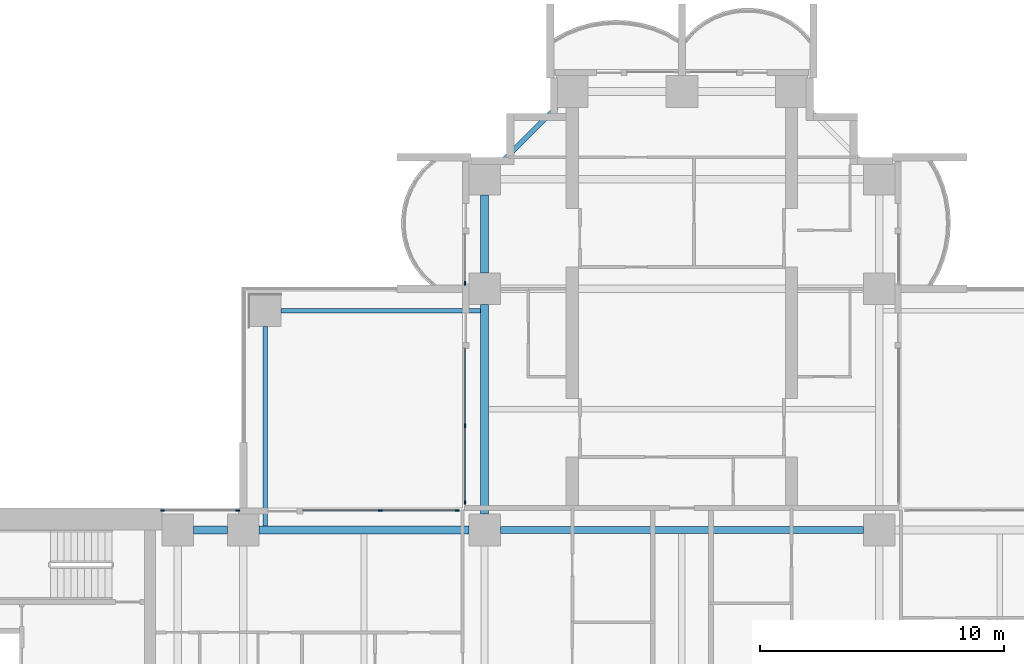
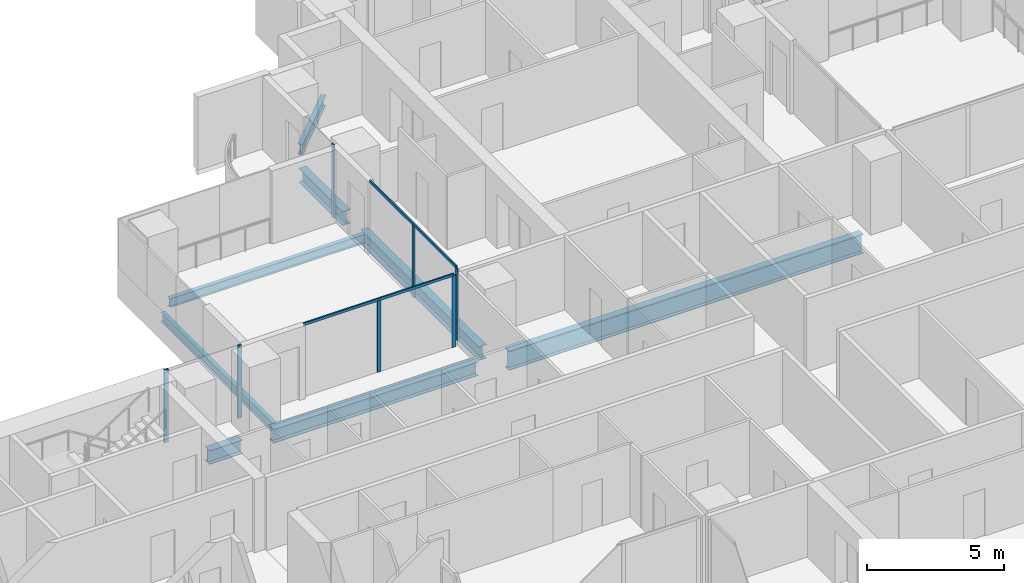
# One storey, part 5 of 21: 9 members, 8 beams, 4 elements without a shape of their own.
"""IFC4 building model written with IfcOpenShell, lengths in metres."""

from ifc_helpers import new_model, si_unit, direction, frame, origin, origin_2d, place, context, subcontext, project, spatial, rectangle, i_section, extrude, material, material_profile, profile_set, type_object, element, aggregate, save


model = new_model("IFC4")

# Units and contexts
model_context = context("Model", 3, precision=1e-05, world=origin(), true_north=direction((0.0, 1.0)))
body_context = subcontext(model_context, "Body", "Model", "MODEL_VIEW")
ifc_project = project(units=[si_unit("LENGTHUNIT", "METRE"), si_unit("AREAUNIT", "SQUARE_METRE"), si_unit("VOLUMEUNIT", "CUBIC_METRE"), si_unit("PLANEANGLEUNIT", "RADIAN"), si_unit("MASSUNIT", "GRAM", prefix="KILO")], contexts=[model_context])

# Site, building, storey
site_placement = place(None, origin())
site = spatial("IfcSite", under=ifc_project, at=site_placement, CompositionType="ELEMENT")
building_placement = place(site_placement, origin())
building = spatial("IfcBuilding", under=site, at=building_placement, Name="Perihelion Cross Residences", CompositionType="ELEMENT")
storey_placement = place(building_placement, frame((0.0, 0.0, 57.5)))
storey = spatial("IfcBuildingStorey", under=building, at=storey_placement, Name="L11", CompositionType="ELEMENT", Elevation=57.5)

# Curtain wall, member
ifc_material_1 = material(Name="Bronze anodised aluminium, tinted glazing", Category="aluminium")
curtain_wall_type = type_object("IfcCurtainWallType", Name="CW1", PredefinedType="NOTDEFINED", material=ifc_material_1)
curtain_wall_1_placement = place(storey_placement, origin())
curtain_wall_1 = element("IfcCurtainWall", 1, at=curtain_wall_1_placement, inside=storey, type_object=curtain_wall_type, Name="Curtain wall CW1 L11 north side west bay 1", PredefinedType="NOTDEFINED")
ifc_material_2 = material(Name="Bronze anodised aluminium", Category="aluminium")
ifc_material_profile_1 = material_profile(ifc_material_2, rectangle(XDim=0.06005859375, YDim=0.159912109375, at=origin_2d()), Name="CW1 mullion")
ifc_profile_set_1 = profile_set([ifc_material_profile_1], Name="Bronze anodised aluminium")
member_type_1 = type_object("IfcMemberType", Name="CW1 mullion", PredefinedType="MULLION", material=ifc_profile_set_1)
member_1_placement = place(storey_placement, frame((-8.89990234375, 18.22998046875, 0.0), z_axis=(0.0, 0.0, 1.0), x_axis=(1.0, 0.0, 0.0)))
member_1 = element("IfcMember", 2, at=member_1_placement, type_object=member_type_1, Name="CW1 mullion 2", PredefinedType="MULLION", context=body_context, shape_type="SweptSolid", body=[
    extrude(rectangle(XDim=0.06005859375, YDim=0.159912109375, at=origin_2d()), origin(), (0.0, 0.0, 1.0), 3.25),
])
aggregate(curtain_wall_1, [member_1])

# Curtain wall, members
curtain_wall_2_placement = place(storey_placement, origin())
curtain_wall_2 = element("IfcCurtainWall", 3, at=curtain_wall_2_placement, inside=storey, type_object=curtain_wall_type, Name="Curtain wall CW1 L11 north side west bay 2", PredefinedType="NOTDEFINED")
member_2_placement = place(storey_placement, frame((-8.89990234375, 12.375, 0.0), z_axis=(0.0, 0.0, 1.0), x_axis=(1.0, 0.0, 0.0)))
member_2 = element("IfcMember", 4, at=member_2_placement, type_object=member_type_1, Name="CW1 mullion 2", PredefinedType="MULLION", context=body_context, shape_type="SweptSolid", body=[
    extrude(rectangle(XDim=0.06005859375, YDim=0.159912109375, at=origin_2d()), origin(), (0.0, 0.0, 1.0), 3.18994140625),
])
member_3_placement = place(storey_placement, frame((-8.89990234375, 9.22998046875, 0.0), z_axis=(0.0, 0.0, 1.0), x_axis=(1.0, 0.0, 0.0)))
member_3 = element("IfcMember", 5, at=member_3_placement, type_object=member_type_1, Name="CW1 mullion 3", PredefinedType="MULLION", context=body_context, shape_type="SweptSolid", body=[
    extrude(rectangle(XDim=0.06005859375, YDim=0.159912109375, at=origin_2d()), origin(), (0.0, 0.0, 1.0), 3.18994140625),
])

curtain_wall_3_placement = place(storey_placement, origin())
curtain_wall_3 = element("IfcCurtainWall", 6, at=curtain_wall_3_placement, inside=storey, type_object=curtain_wall_type, Name="Curtain wall CW1 L11 west side north bay 1", PredefinedType="NOTDEFINED")
member_4_placement = place(storey_placement, frame((-9.22998046875, 8.89990234375, 0.0), z_axis=(0.0, 0.0, 1.0), x_axis=(0.0, -1.0, 0.0)))
member_4 = element("IfcMember", 7, at=member_4_placement, type_object=member_type_1, Name="CW1 mullion 1", PredefinedType="MULLION", context=body_context, shape_type="SweptSolid", body=[
    extrude(rectangle(XDim=0.06005859375, YDim=0.159912109375, at=origin_2d()), origin(), (0.0, 0.0, 1.0), 3.18994140625),
])
member_5_placement = place(storey_placement, frame((-12.375, 8.89990234375, 0.0), z_axis=(0.0, 0.0, 1.0), x_axis=(0.0, -1.0, 0.0)))
member_5 = element("IfcMember", 8, at=member_5_placement, type_object=member_type_1, Name="CW1 mullion 2", PredefinedType="MULLION", context=body_context, shape_type="SweptSolid", body=[
    extrude(rectangle(XDim=0.06005859375, YDim=0.159912109375, at=origin_2d()), origin(), (0.0, 0.0, 1.0), 3.18994140625),
])

curtain_wall_4_placement = place(storey_placement, origin())
curtain_wall_4 = element("IfcCurtainWall", 9, at=curtain_wall_4_placement, inside=storey, type_object=curtain_wall_type, Name="Curtain wall CW1 L11 west side north bay 2", PredefinedType="NOTDEFINED")
member_6_placement = place(storey_placement, frame((-18.22998046875, 8.89990234375, 0.0), z_axis=(0.0, 0.0, 1.0), x_axis=(0.0, -1.0, 0.0)))
member_6 = element("IfcMember", 10, at=member_6_placement, type_object=member_type_1, Name="CW1 mullion 1", PredefinedType="MULLION", context=body_context, shape_type="SweptSolid", body=[
    extrude(rectangle(XDim=0.06005859375, YDim=0.159912109375, at=origin_2d()), origin(), (0.0, 0.0, 1.0), 3.25),
])
member_7_placement = place(storey_placement, frame((-21.320068359375, 8.89990234375, 0.0), z_axis=(0.0, 0.0, 1.0), x_axis=(0.0, -1.0, 0.0)))
member_7 = element("IfcMember", 11, at=member_7_placement, type_object=member_type_1, Name="CW1 mullion 2", PredefinedType="MULLION", context=body_context, shape_type="SweptSolid", body=[
    extrude(rectangle(XDim=0.06005859375, YDim=0.159912109375, at=origin_2d()), origin(), (0.0, 0.0, 1.0), 3.25),
])
aggregate(curtain_wall_4, [member_6, member_7])

# Member
ifc_material_3 = material(Name="Bronze anodised aluminium", Category="aluminium")
ifc_material_profile_2 = material_profile(ifc_material_3, rectangle(XDim=0.06005859375, YDim=0.1201171875, at=origin_2d()), Name="CW1 transom")
ifc_profile_set_2 = profile_set([ifc_material_profile_2], Name="Bronze anodised aluminium")
member_type_2 = type_object("IfcMemberType", Name="CW1 transom", PredefinedType="USERDEFINED", material=ifc_profile_set_2)
member_8_placement = place(storey_placement, frame((-8.89990234375, 15.550048828125, 3.219970703125), z_axis=(0.0, -1.0, 0.0), x_axis=(1.0, 0.0, 0.0)))
member_8 = element("IfcMember", 12, at=member_8_placement, type_object=member_type_2, Name="CW1 head transom", ObjectType="TRANSOM", PredefinedType="USERDEFINED", context=body_context, shape_type="SweptSolid", body=[
    extrude(rectangle(XDim=0.06005859375, YDim=0.1201171875, at=origin_2d()), origin(), (0.0, 0.0, 1.0), 6.320068359375),
])

aggregate(curtain_wall_2, [member_2, member_3, member_8])

member_9_placement = place(storey_placement, frame((-9.22998046875, 8.89990234375, 3.219970703125), z_axis=(-1.0, 0.0, 0.0), x_axis=(0.0, -1.0, 0.0)))
member_9 = element("IfcMember", 13, at=member_9_placement, type_object=member_type_2, Name="CW1 head transom", ObjectType="TRANSOM", PredefinedType="USERDEFINED", context=body_context, shape_type="SweptSolid", body=[
    extrude(rectangle(XDim=0.06005859375, YDim=0.1201171875, at=origin_2d()), origin(), (0.0, 0.0, 1.0), 6.320068359375),
])

aggregate(curtain_wall_3, [member_4, member_5, member_9])

# Beams
ifc_material_4 = material(Name="Steel S355", Category="steel")
ifc_material_profile_3 = material_profile(ifc_material_4, i_section(OverallWidth=0.177978515625, OverallDepth=0.406005859375, WebThickness=0.0078125, FlangeThickness=0.0126953125, at=origin_2d()), Name="W410x60")
ifc_profile_set_3 = profile_set([ifc_material_profile_3], Name="Steel S355")
beam_type_1 = type_object("IfcBeamType", Name="Core edge beam W410x60", PredefinedType="BEAM", material=ifc_profile_set_3)
for number, where, z_axis, x_axis, name in (
    (14, (-17.10009765625, 8.262451171875, -0.452880859375), (0.0, 1.0, 0.0), (-1.0, 0.0, 0.0), "Core edge beam TB2 L11 corner no. 3"),
    (15, (-8.262451171875, 17.10009765625, -0.452880859375), (-1.0, 0.0, 0.0), (0.0, -1.0, 0.0), "Core edge beam TB2 L11 corner no. 4"),
):
    element("IfcBeam", number, at=place(storey_placement, frame(where, z_axis=z_axis, x_axis=x_axis)), inside=storey, type_object=beam_type_1, Name=name, PredefinedType="BEAM", context=body_context, shape_type="SweptSolid", body=[
        extrude(i_section(OverallWidth=0.177978515625, OverallDepth=0.406005859375, WebThickness=0.0078125, FlangeThickness=0.0126953125, at=origin_2d()), origin(), (0.0, 0.0, 1.0), 8.1875),
    ])
ifc_material_5 = material(Name="Steel S355", Category="steel")
ifc_material_profile_4 = material_profile(ifc_material_5, i_section(OverallWidth=0.324951171875, OverallDepth=0.616943359375, WebThickness=0.013916015625, FlangeThickness=0.021484375, at=origin_2d()), Name="W610x174")
ifc_profile_set_4 = profile_set([ifc_material_profile_4], Name="Steel S355")
beam_type_2 = type_object("IfcBeamType", Name="Edge beam W610x174", PredefinedType="SPANDREL", material=ifc_profile_set_4)
beam_1_placement = place(storey_placement, frame((-8.10009765625, 21.85009765625, -0.55859375), z_axis=(0.0, -1.0, 0.0), x_axis=(1.0, 0.0, 0.0)))
element("IfcBeam", 16, at=beam_1_placement, inside=storey, type_object=beam_type_2, Name="Edge beam SB2 L11 no. 8", PredefinedType="SPANDREL", context=body_context, shape_type="SweptSolid", body=[
    extrude(i_section(OverallWidth=0.324951171875, OverallDepth=0.616943359375, WebThickness=0.013916015625, FlangeThickness=0.021484375, at=origin_2d()), origin(), (0.0, 0.0, 1.0), 3.2001953125),
])
for number, where, z_axis, x_axis, name in (
    (17, (-8.10009765625, 17.35009765625, -0.55859375), (0.0, -1.0, 0.0), (1.0, 0.0, 0.0), "Edge beam SB2 L11 no. 7"),
    (18, (-8.75, 8.10009765625, -0.55859375), (-1.0, 0.0, 0.0), (0.0, -1.0, 0.0), "Edge beam SB2 L11 no. 9"),
):
    element("IfcBeam", number, at=place(storey_placement, frame(where, z_axis=z_axis, x_axis=x_axis)), inside=storey, type_object=beam_type_2, Name=name, PredefinedType="SPANDREL", context=body_context, shape_type="SweptSolid", body=[
        extrude(i_section(OverallWidth=0.324951171875, OverallDepth=0.616943359375, WebThickness=0.013916015625, FlangeThickness=0.021484375, at=origin_2d()), origin(), (0.0, 0.0, 1.0), 8.60009765625),
    ])
beam_2_placement = place(storey_placement, frame((-18.64990234375, 8.10009765625, -0.55859375), z_axis=(-1.0, 0.0, 0.0), x_axis=(0.0, -1.0, 0.0)))
element("IfcBeam", 19, at=beam_2_placement, inside=storey, type_object=beam_type_2, Name="Edge beam SB2 L11 no. 2", PredefinedType="SPANDREL", context=body_context, shape_type="SweptSolid", body=[
    extrude(i_section(OverallWidth=0.324951171875, OverallDepth=0.616943359375, WebThickness=0.013916015625, FlangeThickness=0.021484375, at=origin_2d()), origin(), (0.0, 0.0, 1.0), 1.400146484375),
])
ifc_material_6 = material(Name="Steel S355", Category="steel")
ifc_material_profile_5 = material_profile(ifc_material_6, i_section(OverallWidth=0.2919921875, OverallDepth=0.85888671875, WebThickness=0.01708984375, FlangeThickness=0.031005859375, at=origin_2d()), Name="W840x251")
ifc_profile_set_5 = profile_set([ifc_material_profile_5], Name="Steel S355")
beam_type_3 = type_object("IfcBeamType", Name="Hub ring girder W840x251", PredefinedType="BEAM", material=ifc_profile_set_5)
beam_3_placement = place(storey_placement, frame((7.449951171875, 8.10009765625, -0.679443359375), z_axis=(-1.0, 0.0, 0.0), x_axis=(0.0, -1.0, 0.0)))
element("IfcBeam", 20, at=beam_3_placement, inside=storey, type_object=beam_type_3, Name="Hub ring girder RG2 L11 no. 4", PredefinedType="BEAM", context=body_context, shape_type="SweptSolid", body=[
    extrude(i_section(OverallWidth=0.2919921875, OverallDepth=0.85888671875, WebThickness=0.01708984375, FlangeThickness=0.031005859375, at=origin_2d()), origin(), (0.0, 0.0, 1.0), 14.89990234375),
])
ifc_material_7 = material(Name="Steel S355", Category="steel")
ifc_material_profile_6 = material_profile(ifc_material_7, i_section(OverallWidth=0.194091796875, OverallDepth=0.469970703125, WebThickness=0.0126953125, FlangeThickness=0.0205078125, at=origin_2d()), Name="W460x106")
ifc_profile_set_6 = profile_set([ifc_material_profile_6], Name="Steel S355")
beam_type_4 = type_object("IfcBeamType", Name="Serration edge beam W460x106", PredefinedType="BEAM", material=ifc_profile_set_6)
beam_4_placement = place(storey_placement, frame((-5.14990234375, 25.449951171875, -0.485107421875), z_axis=(-0.707106781187, -0.707106781187, 0.0), x_axis=(0.707106781187, -0.707106781187, 0.0)))
element("IfcBeam", 21, at=beam_4_placement, inside=storey, type_object=beam_type_4, Name="Serration edge beam EB2 L11 no. 1", PredefinedType="BEAM", context=body_context, shape_type="SweptSolid", body=[
    extrude(i_section(OverallWidth=0.194091796875, OverallDepth=0.469970703125, WebThickness=0.0126953125, FlangeThickness=0.0205078125, at=origin_2d()), origin(), (0.0, 0.0, 1.0), 3.252685546875),
])

save(model, "model.ifc")
